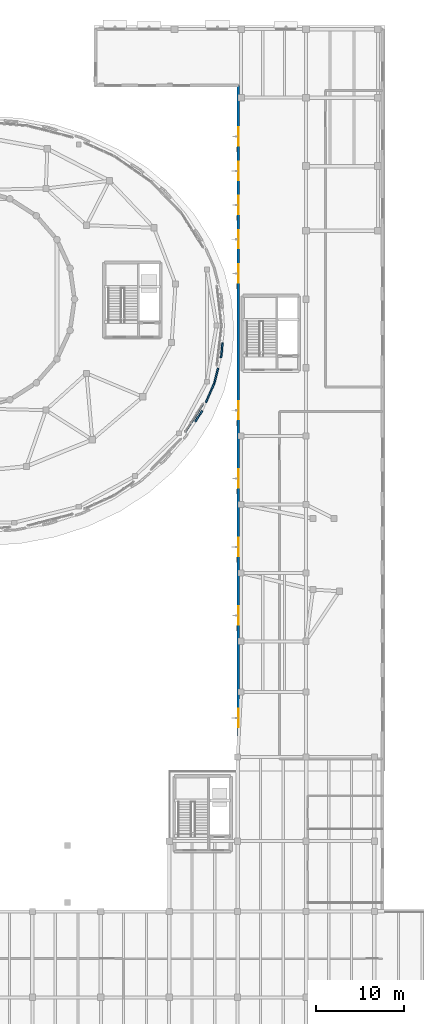
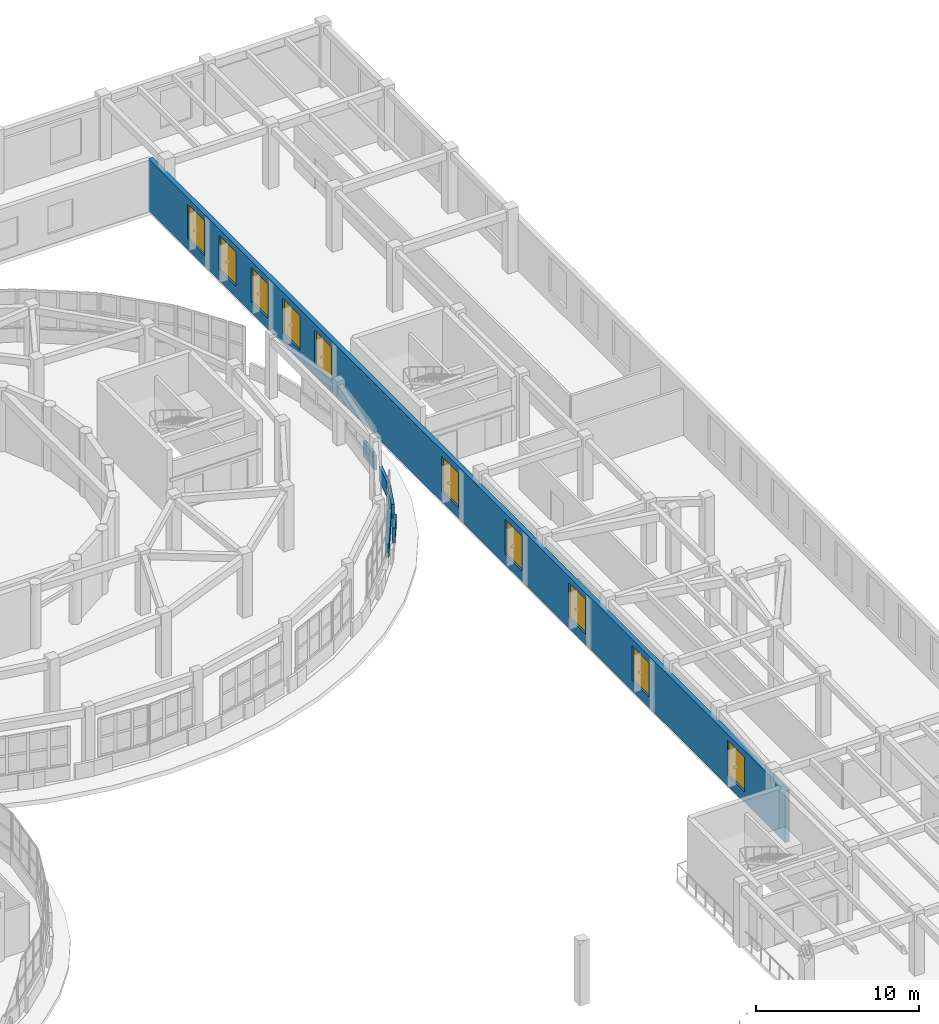
# One storey, part 81 of 98: 10 windows, 7 walls, 10 openings.
"""IFC4 building model written with IfcOpenShell, lengths in metres."""

from ifc_helpers import new_model, si_unit, direction, frame, frame_2d, origin, place, context, subcontext, project, spatial, rectangle, extrude, material, layer, layer_set, type_object, element, fill, save


model = new_model("IFC4")

# Units and contexts
model_context = context("Model", 3, precision=1e-05, world=origin(), true_north=direction((0.0, 1.0)))
body_context = subcontext(model_context, "Body", "Model", "MODEL_VIEW")
ifc_project = project(units=[si_unit("LENGTHUNIT", "METRE"), si_unit("AREAUNIT", "SQUARE_METRE"), si_unit("VOLUMEUNIT", "CUBIC_METRE"), si_unit("PLANEANGLEUNIT", "RADIAN"), si_unit("MASSUNIT", "GRAM", prefix="KILO")], contexts=[model_context])

# Site, building, storey
site_placement = place(None, origin())
site = spatial("IfcSite", under=ifc_project, at=site_placement, CompositionType="ELEMENT")
building_placement = place(site_placement, origin())
building = spatial("IfcBuilding", under=site, at=building_placement, Name="Pelvatis Terrace Science Centre", CompositionType="ELEMENT")
storey_placement = place(building_placement, frame((0.0, 0.0, 5.39990234375)))
storey = spatial("IfcBuildingStorey", under=building, at=storey_placement, Name="L01", CompositionType="ELEMENT", Elevation=5.39990234375)

# Wall, openings, windows
ifc_material_1 = material(Name="Precast concrete C35/45 architectural stone", Category="masonry")
ifc_layer_1 = layer(ifc_material_1, 0.324951171875)
ifc_layer_set_1 = layer_set([ifc_layer_1], Name="Precast concrete C35/45 architectural stone")
wall_type_1 = type_object("IfcWallType", Name="WL-EXT-PREC-325", PredefinedType="SOLIDWALL", material=ifc_layer_set_1)
wall_1_placement = place(storey_placement, frame((140.47998046875, 32.0, 0.0), z_axis=(0.0, 0.0, 1.0), x_axis=(0.0, 1.0, 0.0)))
wall_1 = element("IfcWall", 1, at=wall_1_placement, inside=storey, type_object=wall_type_1, Name="Exterior classical Art Deco facade wall EW-L01-W", PredefinedType="SOLIDWALL", context=body_context, shape_type="SweptSolid", body=[
    extrude(rectangle(XDim=78.199951171875, YDim=0.324951171875, at=frame_2d((39.10009765625, 0.0))), origin(), (0.0, 0.0, 1.0), 3.860107421875),
])
opening_1_placement = place(wall_1_placement, frame((5.0, 0.0, 0.780029296875)))
opening_1 = element("IfcOpeningElement", 2, at=opening_1_placement, cuts=wall_1, Name="Opening W-046", PredefinedType="OPENING", context=body_context, shape_type="SweptSolid", body=[
    extrude(rectangle(XDim=2.10009765625, YDim=2.60009765625, at=frame_2d((1.050048828125, 1.300048828125))), frame((0.0, 0.17236328125, 0.0), z_axis=(0.0, -1.0, 0.0), x_axis=(1.0, 0.0, 0.0)), (0.0, 0.0, 1.0), 0.344970703125),
])
opening_2_placement = place(wall_1_placement, frame((16.699951171875, 0.0, 0.780029296875)))
opening_2 = element("IfcOpeningElement", 3, at=opening_2_placement, cuts=wall_1, Name="Opening W-047", PredefinedType="OPENING", context=body_context, shape_type="SweptSolid", body=[
    extrude(rectangle(XDim=2.10009765625, YDim=2.60009765625, at=frame_2d((1.050048828125, 1.300048828125))), frame((0.0, 0.17236328125, 0.0), z_axis=(0.0, -1.0, 0.0), x_axis=(1.0, 0.0, 0.0)), (0.0, 0.0, 1.0), 0.344970703125),
])
opening_3_placement = place(wall_1_placement, frame((24.5, 0.0, 0.780029296875)))
opening_3 = element("IfcOpeningElement", 4, at=opening_3_placement, cuts=wall_1, Name="Opening W-048", PredefinedType="OPENING", context=body_context, shape_type="SweptSolid", body=[
    extrude(rectangle(XDim=2.10009765625, YDim=2.60009765625, at=frame_2d((1.050048828125, 1.300048828125))), frame((0.0, 0.17236328125, 0.0), z_axis=(0.0, -1.0, 0.0), x_axis=(1.0, 0.0, 0.0)), (0.0, 0.0, 1.0), 0.344970703125),
])
opening_4_placement = place(wall_1_placement, frame((32.300048828125, 0.0, 0.780029296875)))
opening_4 = element("IfcOpeningElement", 5, at=opening_4_placement, cuts=wall_1, Name="Opening W-049", PredefinedType="OPENING", context=body_context, shape_type="SweptSolid", body=[
    extrude(rectangle(XDim=2.10009765625, YDim=2.60009765625, at=frame_2d((1.050048828125, 1.300048828125))), frame((0.0, 0.17236328125, 0.0), z_axis=(0.0, -1.0, 0.0), x_axis=(1.0, 0.0, 0.0)), (0.0, 0.0, 1.0), 0.344970703125),
])
opening_5_placement = place(wall_1_placement, frame((40.10009765625, 0.0, 0.780029296875)))
opening_5 = element("IfcOpeningElement", 6, at=opening_5_placement, cuts=wall_1, Name="Opening W-050", PredefinedType="OPENING", context=body_context, shape_type="SweptSolid", body=[
    extrude(rectangle(XDim=2.10009765625, YDim=2.60009765625, at=frame_2d((1.050048828125, 1.300048828125))), frame((0.0, 0.17236328125, 0.0), z_axis=(0.0, -1.0, 0.0), x_axis=(1.0, 0.0, 0.0)), (0.0, 0.0, 1.0), 0.344970703125),
])
opening_6_placement = place(wall_1_placement, frame((55.699951171875, 0.0, 0.780029296875)))
opening_6 = element("IfcOpeningElement", 7, at=opening_6_placement, cuts=wall_1, Name="Opening W-051", PredefinedType="OPENING", context=body_context, shape_type="SweptSolid", body=[
    extrude(rectangle(XDim=2.10009765625, YDim=2.60009765625, at=frame_2d((1.050048828125, 1.300048828125))), frame((0.0, 0.17236328125, 0.0), z_axis=(0.0, -1.0, 0.0), x_axis=(1.0, 0.0, 0.0)), (0.0, 0.0, 1.0), 0.344970703125),
])
opening_7_placement = place(wall_1_placement, frame((59.60009765625, 0.0, 0.780029296875)))
opening_7 = element("IfcOpeningElement", 8, at=opening_7_placement, cuts=wall_1, Name="Opening W-052", PredefinedType="OPENING", context=body_context, shape_type="SweptSolid", body=[
    extrude(rectangle(XDim=2.10009765625, YDim=2.60009765625, at=frame_2d((1.050048828125, 1.300048828125))), frame((0.0, 0.17236328125, 0.0), z_axis=(0.0, -1.0, 0.0), x_axis=(1.0, 0.0, 0.0)), (0.0, 0.0, 1.0), 0.344970703125),
])
opening_8_placement = place(wall_1_placement, frame((63.5, 0.0, 0.780029296875)))
opening_8 = element("IfcOpeningElement", 9, at=opening_8_placement, cuts=wall_1, Name="Opening W-053", PredefinedType="OPENING", context=body_context, shape_type="SweptSolid", body=[
    extrude(rectangle(XDim=2.10009765625, YDim=2.60009765625, at=frame_2d((1.050048828125, 1.300048828125))), frame((0.0, 0.17236328125, 0.0), z_axis=(0.0, -1.0, 0.0), x_axis=(1.0, 0.0, 0.0)), (0.0, 0.0, 1.0), 0.344970703125),
])
opening_9_placement = place(wall_1_placement, frame((67.39990234375, 0.0, 0.780029296875)))
opening_9 = element("IfcOpeningElement", 10, at=opening_9_placement, cuts=wall_1, Name="Opening W-054", PredefinedType="OPENING", context=body_context, shape_type="SweptSolid", body=[
    extrude(rectangle(XDim=2.10009765625, YDim=2.60009765625, at=frame_2d((1.050048828125, 1.300048828125))), frame((0.0, 0.17236328125, 0.0), z_axis=(0.0, -1.0, 0.0), x_axis=(1.0, 0.0, 0.0)), (0.0, 0.0, 1.0), 0.344970703125),
])
opening_10_placement = place(wall_1_placement, frame((71.300048828125, 0.0, 0.780029296875)))
opening_10 = element("IfcOpeningElement", 11, at=opening_10_placement, cuts=wall_1, Name="Opening W-055", PredefinedType="OPENING", context=body_context, shape_type="SweptSolid", body=[
    extrude(rectangle(XDim=2.10009765625, YDim=2.60009765625, at=frame_2d((1.050048828125, 1.300048828125))), frame((0.0, 0.17236328125, 0.0), z_axis=(0.0, -1.0, 0.0), x_axis=(1.0, 0.0, 0.0)), (0.0, 0.0, 1.0), 0.344970703125),
])
ifc_material_2 = material(Name="Bronze-anodised aluminium and laminated low-e glass", Category="aluminium")
window_type = type_object("IfcWindowType", Name="WIN-AD-2100x2600", PartitioningType="SINGLE_PANEL", PredefinedType="WINDOW", material=ifc_material_2)
window_1_placement = place(opening_1_placement, origin())
window_1 = element("IfcWindow", 12, at=window_1_placement, inside=storey, type_object=window_type, Name="Art Deco facade window W-046 (L01)", OverallHeight=2.60009765625, OverallWidth=2.10009765625, PartitioningType="SINGLE_PANEL", PredefinedType="WINDOW", context=body_context, shape_type="SweptSolid", body=[
    extrude(rectangle(XDim=2.10009765625, YDim=2.60009765625, at=frame_2d((1.050048828125, 1.300048828125))), frame((0.0, 0.030029296875, 0.0), z_axis=(0.0, -1.0, 0.0), x_axis=(1.0, 0.0, 0.0)), (0.0, 0.0, 1.0), 0.06005859375),
])
fill(opening_1, window_1)
window_2_placement = place(opening_2_placement, origin())
window_2 = element("IfcWindow", 13, at=window_2_placement, inside=storey, type_object=window_type, Name="Art Deco facade window W-047 (L01)", OverallHeight=2.60009765625, OverallWidth=2.10009765625, PartitioningType="SINGLE_PANEL", PredefinedType="WINDOW", context=body_context, shape_type="SweptSolid", body=[
    extrude(rectangle(XDim=2.10009765625, YDim=2.60009765625, at=frame_2d((1.050048828125, 1.300048828125))), frame((0.0, 0.030029296875, 0.0), z_axis=(0.0, -1.0, 0.0), x_axis=(1.0, 0.0, 0.0)), (0.0, 0.0, 1.0), 0.06005859375),
])
fill(opening_2, window_2)
window_3_placement = place(opening_3_placement, origin())
window_3 = element("IfcWindow", 14, at=window_3_placement, inside=storey, type_object=window_type, Name="Art Deco facade window W-048 (L01)", OverallHeight=2.60009765625, OverallWidth=2.10009765625, PartitioningType="SINGLE_PANEL", PredefinedType="WINDOW", context=body_context, shape_type="SweptSolid", body=[
    extrude(rectangle(XDim=2.10009765625, YDim=2.60009765625, at=frame_2d((1.050048828125, 1.300048828125))), frame((0.0, 0.030029296875, 0.0), z_axis=(0.0, -1.0, 0.0), x_axis=(1.0, 0.0, 0.0)), (0.0, 0.0, 1.0), 0.06005859375),
])
fill(opening_3, window_3)
window_4_placement = place(opening_4_placement, origin())
window_4 = element("IfcWindow", 15, at=window_4_placement, inside=storey, type_object=window_type, Name="Art Deco facade window W-049 (L01)", OverallHeight=2.60009765625, OverallWidth=2.10009765625, PartitioningType="SINGLE_PANEL", PredefinedType="WINDOW", context=body_context, shape_type="SweptSolid", body=[
    extrude(rectangle(XDim=2.10009765625, YDim=2.60009765625, at=frame_2d((1.050048828125, 1.300048828125))), frame((0.0, 0.030029296875, 0.0), z_axis=(0.0, -1.0, 0.0), x_axis=(1.0, 0.0, 0.0)), (0.0, 0.0, 1.0), 0.06005859375),
])
fill(opening_4, window_4)
window_5_placement = place(opening_5_placement, origin())
window_5 = element("IfcWindow", 16, at=window_5_placement, inside=storey, type_object=window_type, Name="Art Deco facade window W-050 (L01)", OverallHeight=2.60009765625, OverallWidth=2.10009765625, PartitioningType="SINGLE_PANEL", PredefinedType="WINDOW", context=body_context, shape_type="SweptSolid", body=[
    extrude(rectangle(XDim=2.10009765625, YDim=2.60009765625, at=frame_2d((1.050048828125, 1.300048828125))), frame((0.0, 0.030029296875, 0.0), z_axis=(0.0, -1.0, 0.0), x_axis=(1.0, 0.0, 0.0)), (0.0, 0.0, 1.0), 0.06005859375),
])
fill(opening_5, window_5)
window_6_placement = place(opening_6_placement, origin())
window_6 = element("IfcWindow", 17, at=window_6_placement, inside=storey, type_object=window_type, Name="Art Deco facade window W-051 (L01)", OverallHeight=2.60009765625, OverallWidth=2.10009765625, PartitioningType="SINGLE_PANEL", PredefinedType="WINDOW", context=body_context, shape_type="SweptSolid", body=[
    extrude(rectangle(XDim=2.10009765625, YDim=2.60009765625, at=frame_2d((1.050048828125, 1.300048828125))), frame((0.0, 0.030029296875, 0.0), z_axis=(0.0, -1.0, 0.0), x_axis=(1.0, 0.0, 0.0)), (0.0, 0.0, 1.0), 0.06005859375),
])
fill(opening_6, window_6)
window_7_placement = place(opening_7_placement, origin())
window_7 = element("IfcWindow", 18, at=window_7_placement, inside=storey, type_object=window_type, Name="Art Deco facade window W-052 (L01)", OverallHeight=2.60009765625, OverallWidth=2.10009765625, PartitioningType="SINGLE_PANEL", PredefinedType="WINDOW", context=body_context, shape_type="SweptSolid", body=[
    extrude(rectangle(XDim=2.10009765625, YDim=2.60009765625, at=frame_2d((1.050048828125, 1.300048828125))), frame((0.0, 0.030029296875, 0.0), z_axis=(0.0, -1.0, 0.0), x_axis=(1.0, 0.0, 0.0)), (0.0, 0.0, 1.0), 0.06005859375),
])
fill(opening_7, window_7)
window_8_placement = place(opening_8_placement, origin())
window_8 = element("IfcWindow", 19, at=window_8_placement, inside=storey, type_object=window_type, Name="Art Deco facade window W-053 (L01)", OverallHeight=2.60009765625, OverallWidth=2.10009765625, PartitioningType="SINGLE_PANEL", PredefinedType="WINDOW", context=body_context, shape_type="SweptSolid", body=[
    extrude(rectangle(XDim=2.10009765625, YDim=2.60009765625, at=frame_2d((1.050048828125, 1.300048828125))), frame((0.0, 0.030029296875, 0.0), z_axis=(0.0, -1.0, 0.0), x_axis=(1.0, 0.0, 0.0)), (0.0, 0.0, 1.0), 0.06005859375),
])
fill(opening_8, window_8)
window_9_placement = place(opening_9_placement, origin())
window_9 = element("IfcWindow", 20, at=window_9_placement, inside=storey, type_object=window_type, Name="Art Deco facade window W-054 (L01)", OverallHeight=2.60009765625, OverallWidth=2.10009765625, PartitioningType="SINGLE_PANEL", PredefinedType="WINDOW", context=body_context, shape_type="SweptSolid", body=[
    extrude(rectangle(XDim=2.10009765625, YDim=2.60009765625, at=frame_2d((1.050048828125, 1.300048828125))), frame((0.0, 0.030029296875, 0.0), z_axis=(0.0, -1.0, 0.0), x_axis=(1.0, 0.0, 0.0)), (0.0, 0.0, 1.0), 0.06005859375),
])
fill(opening_9, window_9)
window_10_placement = place(opening_10_placement, origin())
window_10 = element("IfcWindow", 21, at=window_10_placement, inside=storey, type_object=window_type, Name="Art Deco facade window W-055 (L01)", OverallHeight=2.60009765625, OverallWidth=2.10009765625, PartitioningType="SINGLE_PANEL", PredefinedType="WINDOW", context=body_context, shape_type="SweptSolid", body=[
    extrude(rectangle(XDim=2.10009765625, YDim=2.60009765625, at=frame_2d((1.050048828125, 1.300048828125))), frame((0.0, 0.030029296875, 0.0), z_axis=(0.0, -1.0, 0.0), x_axis=(1.0, 0.0, 0.0)), (0.0, 0.0, 1.0), 0.06005859375),
])
fill(opening_10, window_10)

# Walls
ifc_material_3 = material(Name="White architectural precast concrete C40/50 spandrel", Category="concrete")
ifc_layer_2 = layer(ifc_material_3, 0.260009765625)
ifc_layer_set_2 = layer_set([ifc_layer_2], Name="White architectural precast concrete C40/50 spandrel")
wall_type_2 = type_object("IfcWallType", Name="WL-EXT-SPND-260", PredefinedType="SOLIDWALL", material=ifc_layer_set_2)
wall_2_placement = place(storey_placement, frame((134.42626953125, 70.67919921875, 0.0), z_axis=(0.0, 0.0, 1.0), x_axis=(0.533684489699, 0.845683667487, 0.0)))
element("IfcWall", 22, at=wall_2_placement, inside=storey, type_object=wall_type_2, Name="V1 white spiral spandrel band 30 (L01)", PredefinedType="SOLIDWALL", context=body_context, shape_type="SweptSolid", body=[
    extrude(rectangle(XDim=3.8115234375, YDim=0.260009765625, at=frame_2d((1.90576171875, 0.0))), origin(), (0.0, 0.0, 1.0), 1.02001953125),
])
ifc_material_4 = material(Name="White architectural precast concrete C40/50 spandrel parapet", Category="concrete")
ifc_layer_3 = layer(ifc_material_4, 0.18994140625)
ifc_layer_set_3 = layer_set([ifc_layer_3], Name="White architectural precast concrete C40/50 spandrel parapet")
wall_type_3 = type_object("IfcWallType", Name="WL-PAR-190", PredefinedType="PARAPET", material=ifc_layer_set_3)
wall_3_placement = place(storey_placement, frame((138.675048828125, 80.845458984375, 0.0), z_axis=(0.0, 0.0, 1.0), x_axis=(-0.083940879904, -0.99647073649, 0.0)))
element("IfcWall", 23, at=wall_3_placement, inside=storey, type_object=wall_type_3, Name="Perimeter edge closure parapet PW-EDG-L01-146", PredefinedType="PARAPET", context=body_context, shape_type="SweptSolid", body=[
    extrude(rectangle(XDim=1.39892578125, YDim=0.18994140625, at=frame_2d((0.699462890625, 0.0))), origin(), (0.0, 0.0, 1.0), 1.1201171875),
])
wall_4_placement = place(storey_placement, frame((138.5576171875, 79.451416015625, 0.0), z_axis=(0.0, 0.0, 1.0), x_axis=(-0.248464571072, -0.968640984536, 0.0)))
element("IfcWall", 24, at=wall_4_placement, inside=storey, type_object=wall_type_3, Name="Perimeter edge closure parapet PW-EDG-L01-147", PredefinedType="PARAPET", context=body_context, shape_type="SweptSolid", body=[
    extrude(rectangle(XDim=0.3291015625, YDim=0.18994140625, at=frame_2d((0.16455078125, 0.0))), origin(), (0.0, 0.0, 1.0), 1.1201171875),
])
wall_5_placement = place(storey_placement, frame((138.172607421875, 77.9482421875, 0.0), z_axis=(0.0, 0.0, 1.0), x_axis=(-0.248260114837, -0.968693406286, 0.0)))
element("IfcWall", 25, at=wall_5_placement, inside=storey, type_object=wall_type_3, Name="Perimeter edge closure parapet PW-EDG-L01-148", PredefinedType="PARAPET", context=body_context, shape_type="SweptSolid", body=[
    extrude(rectangle(XDim=1.8349609375, YDim=0.18994140625, at=frame_2d((0.91748046875, 0.0))), origin(), (0.0, 0.0, 1.0), 1.1201171875),
])
wall_6_placement = place(storey_placement, frame((137.717041015625, 76.170654296875, 0.0), z_axis=(0.0, 0.0, 1.0), x_axis=(-0.402277699058, -0.915517696629, 0.0)))
element("IfcWall", 26, at=wall_6_placement, inside=storey, type_object=wall_type_3, Name="Perimeter edge closure parapet PW-EDG-L01-149", PredefinedType="PARAPET", context=body_context, shape_type="SweptSolid", body=[
    extrude(rectangle(XDim=2.32568359375, YDim=0.18994140625, at=frame_2d((1.162841796875, 0.0))), origin(), (0.0, 0.0, 1.0), 1.1201171875),
])
wall_7_placement = place(storey_placement, frame((136.367919921875, 73.10009765625, 0.0), z_axis=(0.0, 0.0, 1.0), x_axis=(-0.533716879916, -0.845663226168, 0.0)))
element("IfcWall", 27, at=wall_7_placement, inside=storey, type_object=wall_type_3, Name="Perimeter edge closure parapet PW-EDG-L01-150", PredefinedType="PARAPET", context=body_context, shape_type="SweptSolid", body=[
    extrude(rectangle(XDim=1.4970703125, YDim=0.18994140625, at=frame_2d((0.74853515625, 0.0))), origin(), (0.0, 0.0, 1.0), 1.1201171875),
])

save(model, "model.ifc")
